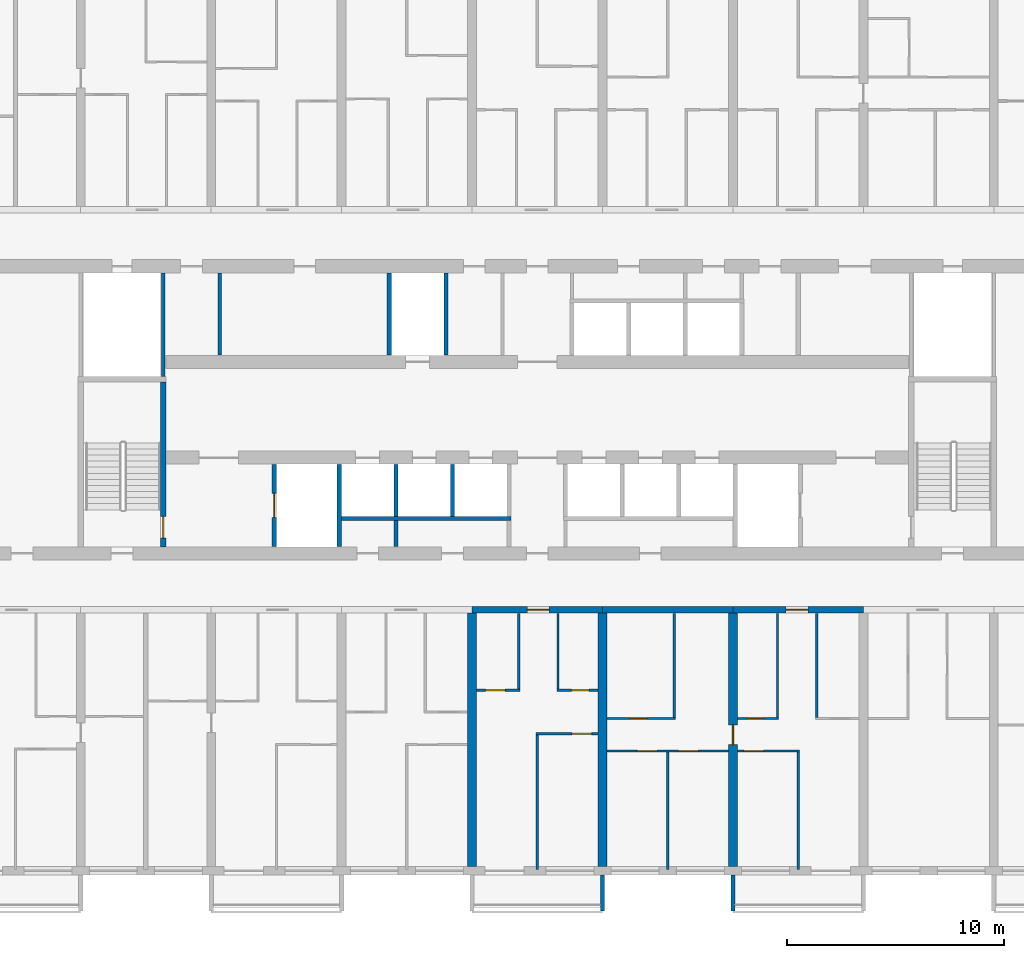
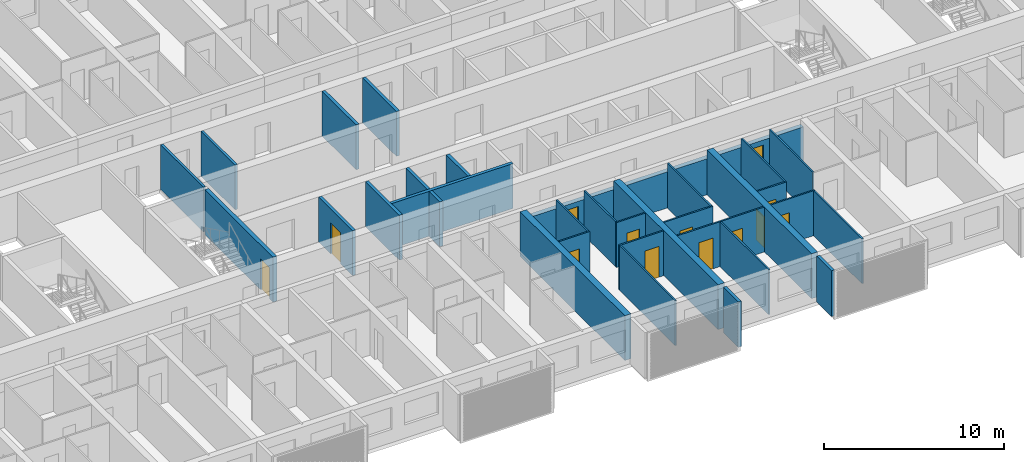
# One storey, part 7 of 44: 34 walls, 13 doors, 13 openings.
"""IFC4 building model written with IfcOpenShell, lengths in metres."""

from ifc_helpers import new_model, si_unit, direction, frame, frame_2d, origin, place, context, subcontext, project, spatial, polyline, rectangle, outline, extrude, source, transform, mapped, material, layer, layer_set, type_object, element, fill, save


model = new_model("IFC4")

# Units and contexts
model_context = context("Model", 3, precision=1e-05, world=origin(), true_north=direction((0.0, 1.0)))
body_context = subcontext(model_context, "Body", "Model", "MODEL_VIEW")
ifc_project = project(units=[si_unit("LENGTHUNIT", "METRE"), si_unit("AREAUNIT", "SQUARE_METRE"), si_unit("VOLUMEUNIT", "CUBIC_METRE"), si_unit("PLANEANGLEUNIT", "RADIAN"), si_unit("MASSUNIT", "GRAM", prefix="KILO")], contexts=[model_context])

# Site, building, storey
site_placement = place(None, origin())
site = spatial("IfcSite", under=ifc_project, at=site_placement, CompositionType="ELEMENT")
building_placement = place(site_placement, origin())
building = spatial("IfcBuilding", under=site, at=building_placement, Name="Poui Terraces", CompositionType="ELEMENT")
storey_placement = place(building_placement, frame((0.0, 0.0, 30.0)))
storey = spatial("IfcBuildingStorey", under=building, at=storey_placement, Name="L07", CompositionType="ELEMENT", Elevation=30.0)

# Wall, opening, door
ifc_material_1 = material(Name="Concrete 80 MPa", Category="concrete")
ifc_layer_1 = layer(ifc_material_1, 0.300048828125)
ifc_layer_set_1 = layer_set([ifc_layer_1], Name="Concrete 80 MPa")
wall_type_1 = type_object("IfcWallType", Name="CORRIDOR WALL 300 80MPa", PredefinedType="SHEAR", material=ifc_layer_set_1)
wall_1_placement = place(storey_placement, frame((48.0, 12.0, 0.0), z_axis=(0.0, 0.0, 1.0), x_axis=(1.0, 0.0, 0.0)))
wall_1 = element("IfcWall", 1, at=wall_1_placement, inside=storey, type_object=wall_type_1, Name="CORRIDOR WALL LINE B BAY 9", PredefinedType="SHEAR", context=body_context, shape_type="SweptSolid", body=[
    extrude(rectangle(XDim=6.0, YDim=0.300048828125, at=frame_2d((3.0, 0.0))), origin(), (0.0, 0.0, 1.0), 2.449951171875),
])
opening_1_placement = place(wall_1_placement, frame((2.550048828125, 0.0, 0.0)))
opening_1 = element("IfcOpeningElement", 2, at=opening_1_placement, cuts=wall_1, Name="Opening FD30S", PredefinedType="OPENING", context=body_context, shape_type="SweptSolid", body=[
    extrude(rectangle(XDim=1.0, YDim=2.10009765625, at=frame_2d((0.5, 1.050048828125))), frame((0.0, 0.16015625, 0.0), z_axis=(0.0, -1.0, 0.0), x_axis=(1.0, 0.0, 0.0)), (0.0, 0.0, 1.0), 0.320068359375),
])
ifc_material_2 = material(Name="Steel fire door", Category="steel")
door_type_1 = type_object("IfcDoorType", Name="FLAT ENTRANCE DOOR 1000 X 2100", OperationType="NOTDEFINED", PredefinedType="DOOR", material=ifc_material_2)
door_1_placement = place(opening_1_placement, frame((1.0, 0.0, 0.0), z_axis=(0.0, 0.0, 1.0), x_axis=(-1.0, 0.0, 0.0)))
door_1 = element("IfcDoor", 3, at=door_1_placement, inside=storey, type_object=door_type_1, Name="FLAT ENTRANCE DOOR 121", OperationType="SINGLE_SWING_LEFT", OverallHeight=2.10009765625, OverallWidth=1.0, PredefinedType="DOOR", context=body_context, shape_type="SweptSolid", body=[
    extrude(rectangle(XDim=1.0, YDim=2.10009765625, at=frame_2d((0.5, 1.050048828125))), frame((0.0, 0.02490234375, 0.0), z_axis=(0.0, -1.0, 0.0), x_axis=(1.0, 0.0, 0.0)), (0.0, 0.0, 1.0), 0.050048828125),
])
fill(opening_1, door_1)

# Wall
wall_2_placement = place(storey_placement, frame((54.0, 12.0, 0.0), z_axis=(0.0, 0.0, 1.0), x_axis=(1.0, 0.0, 0.0)))
element("IfcWall", 4, at=wall_2_placement, inside=storey, type_object=wall_type_1, Name="CORRIDOR WALL LINE B BAY 10", PredefinedType="SHEAR", context=body_context, shape_type="SweptSolid", body=[
    extrude(rectangle(XDim=6.0, YDim=0.300048828125, at=frame_2d((3.0, 0.0))), origin(), (0.0, 0.0, 1.0), 2.449951171875),
])

# Wall, opening, door
wall_3_placement = place(storey_placement, frame((60.0, 12.0, 0.0), z_axis=(0.0, 0.0, 1.0), x_axis=(1.0, 0.0, 0.0)))
wall_3 = element("IfcWall", 5, at=wall_3_placement, inside=storey, type_object=wall_type_1, Name="CORRIDOR WALL LINE B BAY 11", PredefinedType="SHEAR", context=body_context, shape_type="SweptSolid", body=[
    extrude(rectangle(XDim=6.0, YDim=0.300048828125, at=frame_2d((3.0, 0.0))), origin(), (0.0, 0.0, 1.0), 2.449951171875),
])
opening_2_placement = place(wall_3_placement, frame((2.449951171875, 0.0, 0.0)))
opening_2 = element("IfcOpeningElement", 6, at=opening_2_placement, cuts=wall_3, Name="Opening FD30S", PredefinedType="OPENING", context=body_context, shape_type="SweptSolid", body=[
    extrude(rectangle(XDim=1.0, YDim=2.10009765625, at=frame_2d((0.5, 1.050048828125))), frame((0.0, 0.16015625, 0.0), z_axis=(0.0, -1.0, 0.0), x_axis=(1.0, 0.0, 0.0)), (0.0, 0.0, 1.0), 0.320068359375),
])
door_2_placement = place(opening_2_placement, frame((1.0, 0.0, 0.0), z_axis=(0.0, 0.0, 1.0), x_axis=(-1.0, 0.0, 0.0)))
door_2 = element("IfcDoor", 7, at=door_2_placement, inside=storey, type_object=door_type_1, Name="FLAT ENTRANCE DOOR 130", OperationType="SINGLE_SWING_RIGHT", OverallHeight=2.10009765625, OverallWidth=1.0, PredefinedType="DOOR", context=body_context, shape_type="SweptSolid", body=[
    extrude(rectangle(XDim=1.0, YDim=2.10009765625, at=frame_2d((0.5, 1.050048828125))), frame((0.0, 0.02490234375, 0.0), z_axis=(0.0, -1.0, 0.0), x_axis=(1.0, 0.0, 0.0)), (0.0, 0.0, 1.0), 0.050048828125),
])
fill(opening_2, door_2)

# Walls
ifc_layer_2 = layer(ifc_material_1, 0.39990234375)
ifc_layer_set_2 = layer_set([ifc_layer_2], Name="Concrete 80 MPa")
wall_type_2 = type_object("IfcWallType", Name="CROSS WALL 400 80MPa", PredefinedType="SHEAR", material=ifc_layer_set_2)
for number, where, z_axis, x_axis, name in (
    (8, (48.0, 0.199951171875, 0.0), (0.0, 0.0, 1.0), (0.0, 1.0, 0.0), "CROSS WALL LINE 9 SOUTH"),
    (9, (54.0, 0.199951171875, 0.0), (0.0, 0.0, 1.0), (0.0, 1.0, 0.0), "CROSS WALL LINE 10 SOUTH"),
):
    element("IfcWall", number, at=place(storey_placement, frame(where, z_axis=z_axis, x_axis=x_axis)), inside=storey, type_object=wall_type_2, Name=name, PredefinedType="SHEAR", context=body_context, shape_type="SweptSolid", body=[
        extrude(rectangle(XDim=11.650146484375, YDim=0.39990234375, at=frame_2d((5.8251953125, 0.0))), origin(), (0.0, 0.0, 1.0), 3.050048828125),
    ])

# Wall, opening, door
wall_4_placement = place(storey_placement, frame((60.0, 0.199951171875, 0.0), z_axis=(0.0, 0.0, 1.0), x_axis=(0.0, 1.0, 0.0)))
wall_4 = element("IfcWall", 10, at=wall_4_placement, inside=storey, type_object=wall_type_2, Name="CROSS WALL LINE 11 SOUTH", PredefinedType="SHEAR", context=body_context, shape_type="SweptSolid", body=[
    extrude(rectangle(XDim=11.650146484375, YDim=0.39990234375, at=frame_2d((5.8251953125, 0.0))), origin(), (0.0, 0.0, 1.0), 3.050048828125),
])
opening_3_placement = place(wall_4_placement, frame((5.60009765625, 0.0, 0.0)))
opening_3 = element("IfcOpeningElement", 11, at=opening_3_placement, cuts=wall_4, Name="Opening D90", PredefinedType="OPENING", context=body_context, shape_type="SweptSolid", body=[
    extrude(rectangle(XDim=0.89990234375, YDim=2.10009765625, at=frame_2d((0.449951171875, 1.050048828125))), frame((0.0, 0.2099609375, 0.0), z_axis=(0.0, -1.0, 0.0), x_axis=(1.0, 0.0, 0.0)), (0.0, 0.0, 1.0), 0.419921875),
])
ifc_material_3 = material(Name="Solid core timber door", Category="wood")
door_type_2 = type_object("IfcDoorType", Name="INTERNAL DOOR 900 X 2100", OperationType="NOTDEFINED", PredefinedType="DOOR", material=ifc_material_3)
door_3_placement = place(opening_3_placement, frame((0.89990234375, 0.0, 0.0), z_axis=(0.0, 0.0, 1.0), x_axis=(-1.0, 0.0, 0.0)))
door_3 = element("IfcDoor", 12, at=door_3_placement, inside=storey, type_object=door_type_2, Name="INTERNAL DOOR 127", OperationType="SINGLE_SWING_LEFT", OverallHeight=2.10009765625, OverallWidth=0.89990234375, PredefinedType="DOOR", context=body_context, shape_type="SweptSolid", body=[
    extrude(rectangle(XDim=0.89990234375, YDim=2.10009765625, at=frame_2d((0.449951171875, 1.050048828125))), frame((0.0, 0.02490234375, 0.0), z_axis=(0.0, -1.0, 0.0), x_axis=(1.0, 0.0, 0.0)), (0.0, 0.0, 1.0), 0.050048828125),
])
fill(opening_3, door_3)

# Wall, openings, doors
ifc_material_4 = material(Name="Plasterboard partition")
ifc_layer_3 = layer(ifc_material_4, 0.10009765625)
ifc_layer_set_3 = layer_set([ifc_layer_3], Name="Plasterboard partition")
wall_type_3 = type_object("IfcWallType", Name="FLAT PARTITION 100", PredefinedType="PARTITIONING", material=ifc_layer_set_3)
wall_5_placement = place(storey_placement, frame((54.2099609375, 5.5, 0.0), z_axis=(0.0, 0.0, 1.0), x_axis=(1.0, 0.0, 0.0)))
wall_5 = element("IfcWall", 13, at=wall_5_placement, inside=storey, type_object=wall_type_3, Name="FLAT PARTITION 100", PredefinedType="PARTITIONING", context=body_context, shape_type="SweptSolid", body=[
    extrude(rectangle(XDim=5.580078125, YDim=0.10009765625, at=frame_2d((2.7900390625, 0.0))), origin(), (0.0, 0.0, 1.0), 3.050048828125),
])
opening_4_placement = place(wall_5_placement, frame((1.389892578125, 0.0, 0.0)))
opening_4 = element("IfcOpeningElement", 14, at=opening_4_placement, cuts=wall_5, Name="Opening D90", PredefinedType="OPENING", context=body_context, shape_type="SweptSolid", body=[
    extrude(rectangle(XDim=0.89990234375, YDim=2.10009765625, at=frame_2d((0.449951171875, 1.050048828125))), frame((0.0, 0.06005859375, 0.0), z_axis=(0.0, -1.0, 0.0), x_axis=(1.0, 0.0, 0.0)), (0.0, 0.0, 1.0), 0.1201171875),
])
opening_5_placement = place(wall_5_placement, frame((3.2900390625, 0.0, 0.0)))
opening_5 = element("IfcOpeningElement", 15, at=opening_5_placement, cuts=wall_5, Name="Opening D90", PredefinedType="OPENING", context=body_context, shape_type="SweptSolid", body=[
    extrude(rectangle(XDim=0.89990234375, YDim=2.10009765625, at=frame_2d((0.449951171875, 1.050048828125))), frame((0.0, 0.06005859375, 0.0), z_axis=(0.0, -1.0, 0.0), x_axis=(1.0, 0.0, 0.0)), (0.0, 0.0, 1.0), 0.1201171875),
])
door_4_placement = place(opening_4_placement, frame((0.89990234375, 0.0, 0.0), z_axis=(0.0, 0.0, 1.0), x_axis=(-1.0, 0.0, 0.0)))
door_4 = element("IfcDoor", 16, at=door_4_placement, inside=storey, type_object=door_type_2, Name="INTERNAL DOOR 125", OperationType="SINGLE_SWING_LEFT", OverallHeight=2.10009765625, OverallWidth=0.89990234375, PredefinedType="DOOR", context=body_context, shape_type="SweptSolid", body=[
    extrude(rectangle(XDim=0.89990234375, YDim=2.10009765625, at=frame_2d((0.449951171875, 1.050048828125))), frame((0.0, 0.02490234375, 0.0), z_axis=(0.0, -1.0, 0.0), x_axis=(1.0, 0.0, 0.0)), (0.0, 0.0, 1.0), 0.050048828125),
])
fill(opening_4, door_4)
door_5_placement = place(opening_5_placement, frame((0.89990234375, 0.0, 0.0), z_axis=(0.0, 0.0, 1.0), x_axis=(-1.0, 0.0, 0.0)))
door_5 = element("IfcDoor", 17, at=door_5_placement, inside=storey, type_object=door_type_2, Name="INTERNAL DOOR 126", OperationType="SINGLE_SWING_RIGHT", OverallHeight=2.10009765625, OverallWidth=0.89990234375, PredefinedType="DOOR", context=body_context, shape_type="SweptSolid", body=[
    extrude(rectangle(XDim=0.89990234375, YDim=2.10009765625, at=frame_2d((0.449951171875, 1.050048828125))), frame((0.0, 0.02490234375, 0.0), z_axis=(0.0, -1.0, 0.0), x_axis=(1.0, 0.0, 0.0)), (0.0, 0.0, 1.0), 0.050048828125),
])
fill(opening_5, door_5)

# Wall, opening, door
wall_6_placement = place(storey_placement, frame((60.2099609375, 5.5, 0.0), z_axis=(0.0, 0.0, 1.0), x_axis=(1.0, 0.0, 0.0)))
wall_6 = element("IfcWall", 18, at=wall_6_placement, inside=storey, type_object=wall_type_3, Name="FLAT PARTITION 100", PredefinedType="PARTITIONING", context=body_context, shape_type="SweptSolid", body=[
    extrude(rectangle(XDim=2.840087890625, YDim=0.10009765625, at=frame_2d((1.419921875, 0.0))), origin(), (0.0, 0.0, 1.0), 3.050048828125),
])
opening_6_placement = place(wall_6_placement, frame((0.2900390625, 0.0, 0.0)))
opening_6 = element("IfcOpeningElement", 19, at=opening_6_placement, cuts=wall_6, Name="Opening D90", PredefinedType="OPENING", context=body_context, shape_type="SweptSolid", body=[
    extrude(rectangle(XDim=0.89990234375, YDim=2.10009765625, at=frame_2d((0.449951171875, 1.050048828125))), frame((0.0, 0.06005859375, 0.0), z_axis=(0.0, -1.0, 0.0), x_axis=(1.0, 0.0, 0.0)), (0.0, 0.0, 1.0), 0.1201171875),
])
door_6_placement = place(opening_6_placement, origin())
door_6 = element("IfcDoor", 20, at=door_6_placement, inside=storey, type_object=door_type_2, Name="INTERNAL DOOR 128", OperationType="SINGLE_SWING_RIGHT", OverallHeight=2.10009765625, OverallWidth=0.89990234375, PredefinedType="DOOR", context=body_context, shape_type="SweptSolid", body=[
    extrude(rectangle(XDim=0.89990234375, YDim=2.10009765625, at=frame_2d((0.449951171875, 1.050048828125))), frame((0.0, 0.02490234375, 0.0), z_axis=(0.0, -1.0, 0.0), x_axis=(1.0, 0.0, 0.0)), (0.0, 0.0, 1.0), 0.050048828125),
])
fill(opening_6, door_6)

wall_7_placement = place(storey_placement, frame((50.949951171875, 6.300048828125, 0.0), z_axis=(0.0, 0.0, 1.0), x_axis=(1.0, 0.0, 0.0)))
wall_7 = element("IfcWall", 21, at=wall_7_placement, inside=storey, type_object=wall_type_3, Name="FLAT PARTITION 100", PredefinedType="PARTITIONING", context=body_context, shape_type="SweptSolid", body=[
    extrude(rectangle(XDim=2.840087890625, YDim=0.10009765625, at=frame_2d((1.419921875, 0.0))), origin(), (0.0, 0.0, 1.0), 3.050048828125),
])
opening_7_placement = place(wall_7_placement, frame((1.64990234375, 0.0, 0.0)))
opening_7 = element("IfcOpeningElement", 22, at=opening_7_placement, cuts=wall_7, Name="Opening D90", PredefinedType="OPENING", context=body_context, shape_type="SweptSolid", body=[
    extrude(rectangle(XDim=0.89990234375, YDim=2.10009765625, at=frame_2d((0.449951171875, 1.050048828125))), frame((0.0, 0.06005859375, 0.0), z_axis=(0.0, -1.0, 0.0), x_axis=(1.0, 0.0, 0.0)), (0.0, 0.0, 1.0), 0.1201171875),
])
door_7_placement = place(opening_7_placement, origin())
door_7 = element("IfcDoor", 23, at=door_7_placement, inside=storey, type_object=door_type_2, Name="INTERNAL DOOR 123", OperationType="SINGLE_SWING_LEFT", OverallHeight=2.10009765625, OverallWidth=0.89990234375, PredefinedType="DOOR", context=body_context, shape_type="SweptSolid", body=[
    extrude(rectangle(XDim=0.89990234375, YDim=2.10009765625, at=frame_2d((0.449951171875, 1.050048828125))), frame((0.0, 0.02490234375, 0.0), z_axis=(0.0, -1.0, 0.0), x_axis=(1.0, 0.0, 0.0)), (0.0, 0.0, 1.0), 0.050048828125),
])
fill(opening_7, door_7)

wall_8_placement = place(storey_placement, frame((54.2099609375, 7.0, 0.0), z_axis=(0.0, 0.0, 1.0), x_axis=(1.0, 0.0, 0.0)))
wall_8 = element("IfcWall", 24, at=wall_8_placement, inside=storey, type_object=wall_type_3, Name="FLAT PARTITION 100", PredefinedType="PARTITIONING", context=body_context, shape_type="SweptSolid", body=[
    extrude(rectangle(XDim=3.14013671875, YDim=0.10009765625, at=frame_2d((1.570068359375, 0.0))), origin(), (0.0, 0.0, 1.0), 3.050048828125),
])
opening_8_placement = place(wall_8_placement, frame((1.0400390625, 0.0, 0.0)))
opening_8 = element("IfcOpeningElement", 25, at=opening_8_placement, cuts=wall_8, Name="Opening D80", PredefinedType="OPENING", context=body_context, shape_type="SweptSolid", body=[
    extrude(rectangle(XDim=0.800048828125, YDim=2.10009765625, at=frame_2d((0.39990234375, 1.050048828125))), frame((0.0, 0.06005859375, 0.0), z_axis=(0.0, -1.0, 0.0), x_axis=(1.0, 0.0, 0.0)), (0.0, 0.0, 1.0), 0.1201171875),
])
door_type_3 = type_object("IfcDoorType", Name="BATHROOM, LAUNDRY AND STORE DOOR 800 X 2100", OperationType="NOTDEFINED", PredefinedType="DOOR", material=ifc_material_3)
door_8_placement = place(opening_8_placement, frame((0.800048828125, 0.0, 0.0), z_axis=(0.0, 0.0, 1.0), x_axis=(-1.0, 0.0, 0.0)))
door_8 = element("IfcDoor", 26, at=door_8_placement, inside=storey, type_object=door_type_3, Name="BATHROOM, LAUNDRY AND STORE DOOR 124", OperationType="SINGLE_SWING_RIGHT", OverallHeight=2.10009765625, OverallWidth=0.800048828125, PredefinedType="DOOR", context=body_context, shape_type="SweptSolid", body=[
    extrude(rectangle(XDim=0.800048828125, YDim=2.10009765625, at=frame_2d((0.39990234375, 1.050048828125))), frame((0.0, 0.02490234375, 0.0), z_axis=(0.0, -1.0, 0.0), x_axis=(1.0, 0.0, 0.0)), (0.0, 0.0, 1.0), 0.050048828125),
])
fill(opening_8, door_8)

wall_9_placement = place(storey_placement, frame((60.2099609375, 7.0, 0.0), z_axis=(0.0, 0.0, 1.0), x_axis=(1.0, 0.0, 0.0)))
wall_9 = element("IfcWall", 27, at=wall_9_placement, inside=storey, type_object=wall_type_3, Name="FLAT PARTITION 100", PredefinedType="PARTITIONING", context=body_context, shape_type="SweptSolid", body=[
    extrude(rectangle(XDim=1.89013671875, YDim=0.10009765625, at=frame_2d((0.945068359375, 0.0))), origin(), (0.0, 0.0, 1.0), 3.050048828125),
])
opening_9_placement = place(wall_9_placement, frame((0.4150390625, 0.0, 0.0)))
opening_9 = element("IfcOpeningElement", 28, at=opening_9_placement, cuts=wall_9, Name="Opening D80", PredefinedType="OPENING", context=body_context, shape_type="SweptSolid", body=[
    extrude(rectangle(XDim=0.800048828125, YDim=2.10009765625, at=frame_2d((0.39990234375, 1.050048828125))), frame((0.0, 0.06005859375, 0.0), z_axis=(0.0, -1.0, 0.0), x_axis=(1.0, 0.0, 0.0)), (0.0, 0.0, 1.0), 0.1201171875),
])
door_9_placement = place(opening_9_placement, origin())
door_9 = element("IfcDoor", 29, at=door_9_placement, inside=storey, type_object=door_type_3, Name="BATHROOM, LAUNDRY AND STORE DOOR 129", OperationType="SINGLE_SWING_LEFT", OverallHeight=2.10009765625, OverallWidth=0.800048828125, PredefinedType="DOOR", context=body_context, shape_type="SweptSolid", body=[
    extrude(rectangle(XDim=0.800048828125, YDim=2.10009765625, at=frame_2d((0.39990234375, 1.050048828125))), frame((0.0, 0.02490234375, 0.0), z_axis=(0.0, -1.0, 0.0), x_axis=(1.0, 0.0, 0.0)), (0.0, 0.0, 1.0), 0.050048828125),
])
fill(opening_9, door_9)

wall_10_placement = place(storey_placement, frame((48.2099609375, 8.300048828125, 0.0), z_axis=(0.0, 0.0, 1.0), x_axis=(1.0, 0.0, 0.0)))
wall_10 = element("IfcWall", 30, at=wall_10_placement, inside=storey, type_object=wall_type_3, Name="FLAT PARTITION 100", PredefinedType="PARTITIONING", context=body_context, shape_type="SweptSolid", body=[
    extrude(rectangle(XDim=1.989990234375, YDim=0.10009765625, at=frame_2d((0.9951171875, 0.0))), origin(), (0.0, 0.0, 1.0), 3.050048828125),
])
opening_10_placement = place(wall_10_placement, frame((0.4150390625, 0.0, 0.0)))
opening_10 = element("IfcOpeningElement", 31, at=opening_10_placement, cuts=wall_10, Name="Opening D90", PredefinedType="OPENING", context=body_context, shape_type="SweptSolid", body=[
    extrude(rectangle(XDim=0.89990234375, YDim=2.10009765625, at=frame_2d((0.449951171875, 1.050048828125))), frame((0.0, 0.06005859375, 0.0), z_axis=(0.0, -1.0, 0.0), x_axis=(1.0, 0.0, 0.0)), (0.0, 0.0, 1.0), 0.1201171875),
])
door_10_placement = place(opening_10_placement, origin())
door_10 = element("IfcDoor", 32, at=door_10_placement, inside=storey, type_object=door_type_2, Name="INTERNAL DOOR 120", OperationType="SINGLE_SWING_LEFT", OverallHeight=2.10009765625, OverallWidth=0.89990234375, PredefinedType="DOOR", context=body_context, shape_type="SweptSolid", body=[
    extrude(rectangle(XDim=0.89990234375, YDim=2.10009765625, at=frame_2d((0.449951171875, 1.050048828125))), frame((0.0, 0.02490234375, 0.0), z_axis=(0.0, -1.0, 0.0), x_axis=(1.0, 0.0, 0.0)), (0.0, 0.0, 1.0), 0.050048828125),
])
fill(opening_10, door_10)

wall_11_placement = place(storey_placement, frame((51.89990234375, 8.300048828125, 0.0), z_axis=(0.0, 0.0, 1.0), x_axis=(1.0, 0.0, 0.0)))
wall_11 = element("IfcWall", 33, at=wall_11_placement, inside=storey, type_object=wall_type_3, Name="FLAT PARTITION 100", PredefinedType="PARTITIONING", context=body_context, shape_type="SweptSolid", body=[
    extrude(rectangle(XDim=1.89013671875, YDim=0.10009765625, at=frame_2d((0.945068359375, 0.0))), origin(), (0.0, 0.0, 1.0), 3.050048828125),
])
opening_11_placement = place(wall_11_placement, frame((0.675048828125, 0.0, 0.0)))
opening_11 = element("IfcOpeningElement", 34, at=opening_11_placement, cuts=wall_11, Name="Opening D80", PredefinedType="OPENING", context=body_context, shape_type="SweptSolid", body=[
    extrude(rectangle(XDim=0.800048828125, YDim=2.10009765625, at=frame_2d((0.39990234375, 1.050048828125))), frame((0.0, 0.06005859375, 0.0), z_axis=(0.0, -1.0, 0.0), x_axis=(1.0, 0.0, 0.0)), (0.0, 0.0, 1.0), 0.1201171875),
])
door_11_placement = place(opening_11_placement, origin())
door_11 = element("IfcDoor", 35, at=door_11_placement, inside=storey, type_object=door_type_3, Name="BATHROOM, LAUNDRY AND STORE DOOR 122", OperationType="SINGLE_SWING_RIGHT", OverallHeight=2.10009765625, OverallWidth=0.800048828125, PredefinedType="DOOR", context=body_context, shape_type="SweptSolid", body=[
    extrude(rectangle(XDim=0.800048828125, YDim=2.10009765625, at=frame_2d((0.39990234375, 1.050048828125))), frame((0.0, 0.02490234375, 0.0), z_axis=(0.0, -1.0, 0.0), x_axis=(1.0, 0.0, 0.0)), (0.0, 0.0, 1.0), 0.050048828125),
])
fill(opening_11, door_11)

# Walls
wall_12_placement = place(storey_placement, frame((50.14990234375, 8.35009765625, 0.0), z_axis=(0.0, 0.0, 1.0), x_axis=(0.0, 1.0, 0.0)))
element("IfcWall", 36, at=wall_12_placement, inside=storey, type_object=wall_type_3, Name="FLAT PARTITION 100", PredefinedType="PARTITIONING", context=body_context, shape_type="SweptSolid", body=[
    extrude(rectangle(XDim=3.489990234375, YDim=0.10009765625, at=frame_2d((1.7451171875, 0.0))), origin(), (0.0, 0.0, 1.0), 3.050048828125),
])
wall_13_placement = place(storey_placement, frame((51.0, 0.06005859375, 0.0), z_axis=(0.0, 0.0, 1.0), x_axis=(0.0, 1.0, 0.0)))
element("IfcWall", 37, at=wall_13_placement, inside=storey, type_object=wall_type_3, Name="FLAT PARTITION 100", PredefinedType="PARTITIONING", context=body_context, shape_type="SweptSolid", body=[
    extrude(rectangle(XDim=6.18994140625, YDim=0.10009765625, at=frame_2d((3.094970703125, 0.0))), origin(), (0.0, 0.0, 1.0), 3.050048828125),
])
wall_14_placement = place(storey_placement, frame((51.949951171875, 8.35009765625, 0.0), z_axis=(0.0, 0.0, 1.0), x_axis=(0.0, 1.0, 0.0)))
element("IfcWall", 38, at=wall_14_placement, inside=storey, type_object=wall_type_3, Name="FLAT PARTITION 100", PredefinedType="PARTITIONING", context=body_context, shape_type="SweptSolid", body=[
    extrude(rectangle(XDim=3.489990234375, YDim=0.10009765625, at=frame_2d((1.7451171875, 0.0))), origin(), (0.0, 0.0, 1.0), 3.050048828125),
])
wall_15_placement = place(storey_placement, frame((57.0, 0.06005859375, 0.0), z_axis=(0.0, 0.0, 1.0), x_axis=(0.0, 1.0, 0.0)))
element("IfcWall", 39, at=wall_15_placement, inside=storey, type_object=wall_type_3, Name="FLAT PARTITION 100", PredefinedType="PARTITIONING", context=body_context, shape_type="SweptSolid", body=[
    extrude(rectangle(XDim=5.389892578125, YDim=0.10009765625, at=frame_2d((2.69482421875, 0.0))), origin(), (0.0, 0.0, 1.0), 3.050048828125),
])
for number, where, z_axis, x_axis, name in (
    (40, (57.300048828125, 7.050048828125, 0.0), (0.0, 0.0, 1.0), (0.0, 1.0, 0.0), "FLAT PARTITION 100"),
    (41, (62.050048828125, 7.050048828125, 0.0), (0.0, 0.0, 1.0), (0.0, 1.0, 0.0), "FLAT PARTITION 100"),
):
    element("IfcWall", number, at=place(storey_placement, frame(where, z_axis=z_axis, x_axis=x_axis)), inside=storey, type_object=wall_type_3, Name=name, PredefinedType="PARTITIONING", context=body_context, shape_type="SweptSolid", body=[
        extrude(rectangle(XDim=4.7900390625, YDim=0.10009765625, at=frame_2d((2.39501953125, 0.0))), origin(), (0.0, 0.0, 1.0), 3.050048828125),
    ])
wall_16_placement = place(storey_placement, frame((63.0, 0.06005859375, 0.0), z_axis=(0.0, 0.0, 1.0), x_axis=(0.0, 1.0, 0.0)))
element("IfcWall", 42, at=wall_16_placement, inside=storey, type_object=wall_type_3, Name="FLAT PARTITION 100", PredefinedType="PARTITIONING", context=body_context, shape_type="SweptSolid", body=[
    extrude(rectangle(XDim=5.389892578125, YDim=0.10009765625, at=frame_2d((2.69482421875, 0.0))), origin(), (0.0, 0.0, 1.0), 3.050048828125),
])
wall_17_placement = place(storey_placement, frame((63.85009765625, 7.050048828125, 0.0), z_axis=(0.0, 0.0, 1.0), x_axis=(0.0, 1.0, 0.0)))
element("IfcWall", 43, at=wall_17_placement, inside=storey, type_object=wall_type_3, Name="FLAT PARTITION 100", PredefinedType="PARTITIONING", context=body_context, shape_type="SweptSolid", body=[
    extrude(rectangle(XDim=4.7900390625, YDim=0.10009765625, at=frame_2d((2.39501953125, 0.0))), origin(), (0.0, 0.0, 1.0), 3.050048828125),
])
ifc_layer_4 = layer(ifc_material_4, 0.14990234375)
ifc_layer_set_4 = layer_set([ifc_layer_4], Name="Plasterboard partition")
wall_type_4 = type_object("IfcWallType", Name="PARTITION WALL 150", PredefinedType="PARTITIONING", material=ifc_layer_set_4)
wall_18_placement = place(storey_placement, frame((36.39990234375, 23.7099609375, 0.0), z_axis=(0.0, 0.0, 1.0), x_axis=(0.0, 1.0, 0.0)))
element("IfcWall", 44, at=wall_18_placement, inside=storey, type_object=wall_type_4, Name="PARTITION WALL 150", PredefinedType="PARTITIONING", context=body_context, shape_type="SweptSolid", body=[
    extrude(rectangle(XDim=3.780029296875, YDim=0.14990234375, at=frame_2d((1.89013671875, 0.0))), origin(), (0.0, 0.0, 1.0), 3.050048828125),
])
ifc_material_5 = material(Name="Fire-rated masonry wall", Category="masonry")
ifc_layer_5 = layer(ifc_material_5, 0.199951171875)
ifc_layer_set_5 = layer_set([ifc_layer_5], Name="Fire-rated masonry wall")
wall_type_5 = type_object("IfcWallType", Name="PLANT ROOM WALL 200", PredefinedType="PARTITIONING", material=ifc_layer_set_5)
wall_19_placement = place(storey_placement, frame((44.5, 14.909912109375, 0.0), z_axis=(0.0, 0.0, 1.0), x_axis=(0.0, 1.0, 0.0)))
element("IfcWall", 45, at=wall_19_placement, inside=storey, type_object=wall_type_5, Name="PLANT ROOM WALL 200", PredefinedType="PARTITIONING", context=body_context, shape_type="SweptSolid", body=[
    extrude(rectangle(XDim=1.190185546875, YDim=0.199951171875, at=frame_2d((0.59521484375, 0.0))), origin(), (0.0, 0.0, 1.0), 3.050048828125),
])
ifc_material_6 = material(Name="Fire-rated plasterboard riser wall")
ifc_layer_6 = layer(ifc_material_6, 0.14990234375)
ifc_layer_set_6 = layer_set([ifc_layer_6], Name="Fire-rated plasterboard riser wall")
wall_type_6 = type_object("IfcWallType", Name="RISER WALL 150", PredefinedType="PARTITIONING", material=ifc_layer_set_6)
wall_20_placement = place(storey_placement, frame((33.800048828125, 22.735107421875, 0.0), z_axis=(0.0, 0.0, 1.0), x_axis=(0.0, 1.0, 0.0)))
element("IfcWall", 46, at=wall_20_placement, inside=storey, type_object=wall_type_6, Name="RISER WALL 150", PredefinedType="PARTITIONING", context=body_context, shape_type="SweptSolid", body=[
    extrude(rectangle(XDim=4.7548828125, YDim=0.14990234375, at=frame_2d((2.37744140625, 0.0))), origin(), (0.0, 0.0, 1.0), 3.050048828125),
])
ifc_material_7 = material(Name="Fire-rated masonry shaft wall", Category="masonry")
ifc_layer_7 = layer(ifc_material_7, 0.199951171875)
ifc_layer_set_7 = layer_set([ifc_layer_7], Name="Fire-rated masonry shaft wall")
wall_type_7 = type_object("IfcWallType", Name="SHAFT WALL 200", PredefinedType="PARTITIONING", material=ifc_layer_set_7)
wall_21_placement = place(storey_placement, frame((42.0, 16.199951171875, 0.0), z_axis=(0.0, 0.0, 1.0), x_axis=(1.0, 0.0, 0.0)))
element("IfcWall", 47, at=wall_21_placement, inside=storey, type_object=wall_type_7, Name="SHAFT WALL 200", PredefinedType="PARTITIONING", context=body_context, shape_type="SweptSolid", body=[
    extrude(rectangle(XDim=7.800048828125, YDim=0.199951171875, at=frame_2d((3.89990234375, 0.0))), origin(), (0.0, 0.0, 1.0), 3.050048828125),
])

# Wall, opening, door
wall_22_placement = place(storey_placement, frame((38.89990234375, 14.909912109375, 0.0), z_axis=(0.0, 0.0, 1.0), x_axis=(0.0, 1.0, 0.0)))
wall_22 = element("IfcWall", 48, at=wall_22_placement, inside=storey, type_object=wall_type_7, Name="SHAFT WALL 200", PredefinedType="PARTITIONING", context=body_context, shape_type="SweptSolid", body=[
    extrude(rectangle(XDim=3.780029296875, YDim=0.199951171875, at=frame_2d((1.89013671875, 0.0))), origin(), (0.0, 0.0, 1.0), 3.050048828125),
])
opening_12_placement = place(wall_22_placement, frame((1.340087890625, 0.0, 0.0)))
opening_12 = element("IfcOpeningElement", 49, at=opening_12_placement, cuts=wall_22, Name="Opening LD", PredefinedType="OPENING", context=body_context, shape_type="SweptSolid", body=[
    extrude(rectangle(XDim=1.10009765625, YDim=2.10009765625, at=frame_2d((0.550048828125, 1.050048828125))), frame((0.0, 0.10986328125, 0.0), z_axis=(0.0, -1.0, 0.0), x_axis=(1.0, 0.0, 0.0)), (0.0, 0.0, 1.0), 0.219970703125),
])
ifc_material_8 = material(Name="Stainless steel sliding door", Category="steel")
door_type_4 = type_object("IfcDoorType", Name="LIFT LANDING DOOR 1100 X 2100", OperationType="DOUBLE_DOOR_SLIDING", PredefinedType="DOOR", material=ifc_material_8)
door_12_placement = place(opening_12_placement, origin())
door_12 = element("IfcDoor", 50, at=door_12_placement, inside=storey, type_object=door_type_4, Name="LANDING DOOR", OperationType="DOUBLE_DOOR_SLIDING", OverallHeight=2.10009765625, OverallWidth=1.10009765625, PredefinedType="DOOR", context=body_context, shape_type="SweptSolid", body=[
    extrude(rectangle(XDim=1.10009765625, YDim=2.10009765625, at=frame_2d((0.550048828125, 1.050048828125))), frame((0.0, 0.02490234375, 0.0), z_axis=(0.0, -1.0, 0.0), x_axis=(1.0, 0.0, 0.0)), (0.0, 0.0, 1.0), 0.050048828125),
])
fill(opening_12, door_12)

# Walls
for number, where, z_axis, x_axis, name in (
    (51, (41.89990234375, 14.909912109375, 0.0), (0.0, 0.0, 1.0), (0.0, 1.0, 0.0), "SHAFT WALL 200"),
    (52, (44.199951171875, 23.7099609375, 0.0), (0.0, 0.0, 1.0), (0.0, 1.0, 0.0), "SHAFT WALL 200"),
):
    element("IfcWall", number, at=place(storey_placement, frame(where, z_axis=z_axis, x_axis=x_axis)), inside=storey, type_object=wall_type_7, Name=name, PredefinedType="PARTITIONING", context=body_context, shape_type="SweptSolid", body=[
        extrude(rectangle(XDim=3.780029296875, YDim=0.199951171875, at=frame_2d((1.89013671875, 0.0))), origin(), (0.0, 0.0, 1.0), 3.050048828125),
    ])
wall_23_placement = place(storey_placement, frame((44.5, 16.300048828125, 0.0), z_axis=(0.0, 0.0, 1.0), x_axis=(0.0, 1.0, 0.0)))
element("IfcWall", 53, at=wall_23_placement, inside=storey, type_object=wall_type_7, Name="SHAFT WALL 200", PredefinedType="PARTITIONING", context=body_context, shape_type="SweptSolid", body=[
    extrude(rectangle(XDim=2.389892578125, YDim=0.199951171875, at=frame_2d((1.19482421875, 0.0))), origin(), (0.0, 0.0, 1.0), 3.050048828125),
])
wall_24_placement = place(storey_placement, frame((46.800048828125, 23.7099609375, 0.0), z_axis=(0.0, 0.0, 1.0), x_axis=(0.0, 1.0, 0.0)))
element("IfcWall", 54, at=wall_24_placement, inside=storey, type_object=wall_type_7, Name="SHAFT WALL 200", PredefinedType="PARTITIONING", context=body_context, shape_type="SweptSolid", body=[
    extrude(rectangle(XDim=3.780029296875, YDim=0.199951171875, at=frame_2d((1.89013671875, 0.0))), origin(), (0.0, 0.0, 1.0), 3.050048828125),
])
wall_25_placement = place(storey_placement, frame((47.10009765625, 16.300048828125, 0.0), z_axis=(0.0, 0.0, 1.0), x_axis=(0.0, 1.0, 0.0)))
element("IfcWall", 55, at=wall_25_placement, inside=storey, type_object=wall_type_7, Name="SHAFT WALL 200", PredefinedType="PARTITIONING", context=body_context, shape_type="SweptSolid", body=[
    extrude(rectangle(XDim=2.389892578125, YDim=0.199951171875, at=frame_2d((1.19482421875, 0.0))), origin(), (0.0, 0.0, 1.0), 3.050048828125),
])

# Wall, opening, door
ifc_layer_8 = layer(ifc_material_1, 0.25)
ifc_layer_set_8 = layer_set([ifc_layer_8], Name="Concrete 80 MPa")
wall_type_8 = type_object("IfcWallType", Name="STAIR CORE WALL 250 80 MPA", PredefinedType="SOLIDWALL", material=ifc_layer_set_8)
wall_26_placement = place(storey_placement, frame((33.800048828125, 14.89990234375, 0.0), z_axis=(0.0, 0.0, 1.0), x_axis=(0.0, 1.0, 0.0)))
wall_26 = element("IfcWall", 56, at=wall_26_placement, inside=storey, type_object=wall_type_8, Name="STAIR CORE WALL", PredefinedType="SOLIDWALL", context=body_context, shape_type="SweptSolid", body=[
    extrude(rectangle(XDim=7.5751953125, YDim=0.25, at=frame_2d((3.78759765625, 0.0))), origin(), (0.0, 0.0, 1.0), 3.050048828125),
])
opening_13_placement = place(wall_26_placement, frame((0.39990234375, 0.0, 0.0)))
opening_13 = element("IfcOpeningElement", 57, at=opening_13_placement, cuts=wall_26, Name="Opening FD60S", PredefinedType="OPENING", context=body_context, shape_type="SweptSolid", body=[
    extrude(rectangle(XDim=1.0, YDim=2.10009765625, at=frame_2d((0.5, 1.050048828125))), frame((0.0, 0.135009765625, 0.0), z_axis=(0.0, -1.0, 0.0), x_axis=(1.0, 0.0, 0.0)), (0.0, 0.0, 1.0), 0.27001953125),
])
door_type_5 = type_object("IfcDoorType", Name="STAIR DOOR 1000 X 2100", OperationType="NOTDEFINED", PredefinedType="DOOR", material=ifc_material_2)
door_13_placement = place(opening_13_placement, origin())
door_13 = element("IfcDoor", 58, at=door_13_placement, inside=storey, type_object=door_type_5, Name="STAIR DOOR 153", OperationType="SINGLE_SWING_LEFT", OverallHeight=2.10009765625, OverallWidth=1.0, PredefinedType="DOOR", context=body_context, shape_type="SweptSolid", body=[
    extrude(rectangle(XDim=1.0, YDim=2.10009765625, at=frame_2d((0.5, 1.050048828125))), frame((0.0, 0.02490234375, 0.0), z_axis=(0.0, -1.0, 0.0), x_axis=(1.0, 0.0, 0.0)), (0.0, 0.0, 1.0), 0.050048828125),
])
fill(opening_13, door_13)

# Walls
ifc_material_9 = material(Name="Precast concrete 40 MPa", Category="concrete")
ifc_layer_9 = layer(ifc_material_9, 0.199951171875)
ifc_layer_set_9 = layer_set([ifc_layer_9], Name="Precast concrete 40 MPa")
wall_type_9 = type_object("IfcWallType", Name="REAR FIN 200", PredefinedType="STANDARD", material=ifc_layer_set_9)
shared_shape = source(origin(), body_context, "Body", "SweptSolid", [
    extrude(outline(polyline([(0.0, 0.0), (0.2001953125, 0.0), (0.2001953125, 1.650146484375), (0.0, 1.650146484375), (0.0, 0.0)])), origin(), (0.0, 0.0, 1.0), 3.10009765625),
])
for number, where, name in (
    (59, (53.89990234375, -1.85009765625, 0.0), "REAR FIN"),
    (60, (59.89990234375, -1.85009765625, 0.0), "REAR FIN"),
):
    element("IfcWall", number, at=place(storey_placement, frame(where)), inside=storey, type_object=wall_type_9, Name=name, PredefinedType="STANDARD", context=body_context, shape_type="MappedRepresentation", body=[
        mapped(shared_shape, transform((0.0, 0.0, 0.0))),
    ])

save(model, "model.ifc")
